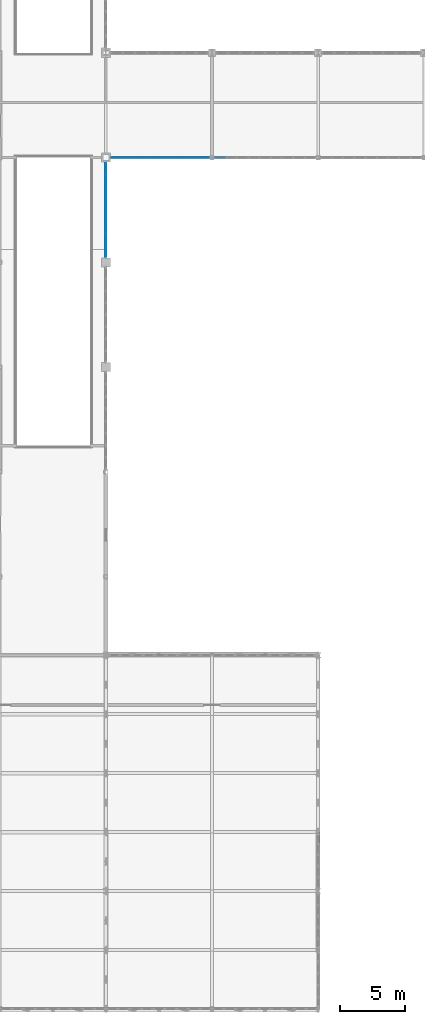
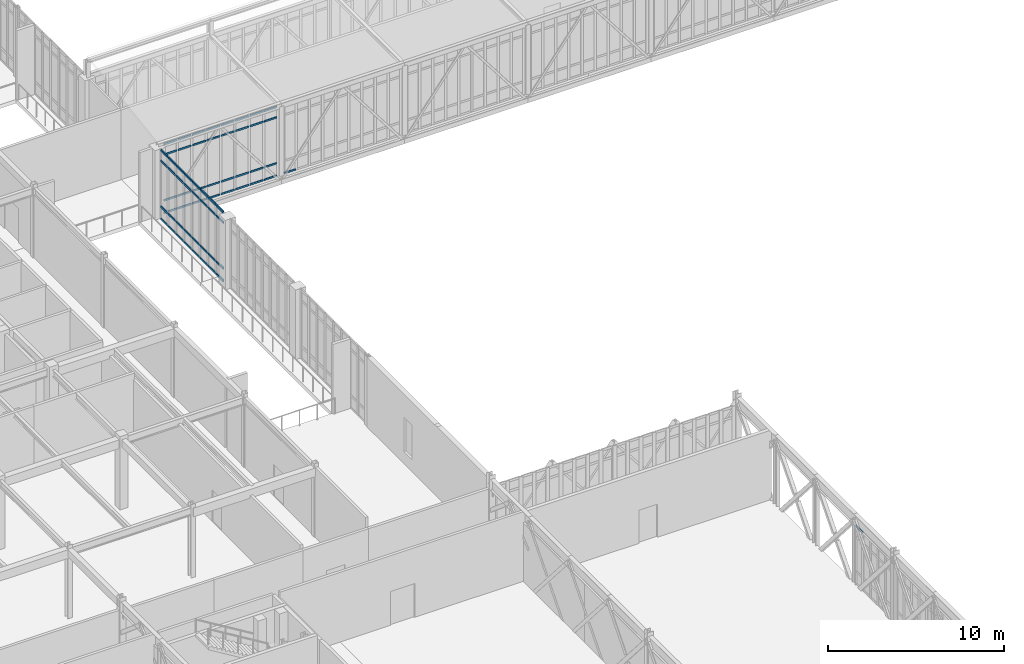
# One storey, part 52 of 107: 66 members, 4 elements without a shape of their own.
"""IFC4 building model written with IfcOpenShell, lengths in metres."""

from ifc_helpers import new_model, si_unit, direction, frame, origin, origin_2d, place, context, subcontext, project, spatial, rectangle, extrude, material, material_profile, profile_set, type_object, element, aggregate, save


model = new_model("IFC4")

# Units and contexts
model_context = context("Model", 3, precision=1e-05, world=origin(), true_north=direction((0.0, 1.0)))
body_context = subcontext(model_context, "Body", "Model", "MODEL_VIEW")
ifc_project = project(units=[si_unit("LENGTHUNIT", "METRE"), si_unit("AREAUNIT", "SQUARE_METRE"), si_unit("VOLUMEUNIT", "CUBIC_METRE"), si_unit("PLANEANGLEUNIT", "RADIAN"), si_unit("MASSUNIT", "GRAM", prefix="KILO")], contexts=[model_context])

# Site, building, storey
site_placement = place(None, origin())
site = spatial("IfcSite", under=ifc_project, at=site_placement, CompositionType="ELEMENT")
building_placement = place(site_placement, origin())
building = spatial("IfcBuilding", under=site, at=building_placement, Name="Tarnveldt Square Police Headquarters", CompositionType="ELEMENT")
storey_placement = place(building_placement, frame((0.0, 0.0, 14.699951171875)))
storey = spatial("IfcBuildingStorey", under=building, at=storey_placement, Name="L03", CompositionType="ELEMENT", Elevation=14.699951171875)

# Curtain wall, members
ifc_material_1 = material(Name="Triple-glazed low-e laminated vision glass", Category="glass")
curtain_wall_type_1 = type_object("IfcCurtainWallType", Name="CW-SB-757x484", PredefinedType="USERDEFINED", material=ifc_material_1)
curtain_wall_1_placement = place(storey_placement, origin())
curtain_wall_1 = element("IfcCurtainWall", 1, at=curtain_wall_1_placement, inside=storey, type_object=curtain_wall_type_1, Name="L03 Curtain Wall CW-L03-152", ObjectType="GLAZED CURTAIN WALL", PredefinedType="USERDEFINED")
ifc_material_2 = material(Name="Thermally broken anodised aluminium 6063-T6", Category="aluminium")
ifc_material_profile_1 = material_profile(ifc_material_2, rectangle(XDim=0.06494140625, YDim=0.1201171875, at=origin_2d()), Name="CW-T65x120")
ifc_profile_set_1 = profile_set([ifc_material_profile_1], Name="Thermally broken anodised aluminium 6063-T6")
member_type_1 = type_object("IfcMemberType", Name="CWT-65x120", PredefinedType="USERDEFINED", material=ifc_profile_set_1)
member_1_placement = place(storey_placement, frame((49.030029296875, 72.0, 0.032470703125), z_axis=(1.0, 0.0, 0.0), x_axis=(0.0, 1.0, 0.0)))
member_1 = element("IfcMember", 2, at=member_1_placement, type_object=member_type_1, Name="CW-SB89 transom 1.1", ObjectType="TRANSOM", PredefinedType="USERDEFINED", context=body_context, shape_type="SweptSolid", body=[
    extrude(rectangle(XDim=0.06494140625, YDim=0.1201171875, at=origin_2d()), origin(), (0.0, 0.0, 1.0), 0.84814453125),
])
member_2_placement = place(storey_placement, frame((49.030029296875, 72.0, 0.900146484375), z_axis=(1.0, 0.0, 0.0), x_axis=(0.0, 1.0, 0.0)))
member_2 = element("IfcMember", 3, at=member_2_placement, type_object=member_type_1, Name="CW-SB89 transom 1.2", ObjectType="TRANSOM", PredefinedType="USERDEFINED", context=body_context, shape_type="SweptSolid", body=[
    extrude(rectangle(XDim=0.06494140625, YDim=0.1201171875, at=origin_2d()), origin(), (0.0, 0.0, 1.0), 0.84814453125),
])
member_3_placement = place(storey_placement, frame((49.030029296875, 72.0, 4.090087890625), z_axis=(1.0, 0.0, 0.0), x_axis=(0.0, 1.0, 0.0)))
member_3 = element("IfcMember", 4, at=member_3_placement, type_object=member_type_1, Name="CW-SB89 transom 1.3", ObjectType="TRANSOM", PredefinedType="USERDEFINED", context=body_context, shape_type="SweptSolid", body=[
    extrude(rectangle(XDim=0.06494140625, YDim=0.1201171875, at=origin_2d()), origin(), (0.0, 0.0, 1.0), 0.84814453125),
])
member_4_placement = place(storey_placement, frame((49.030029296875, 72.0, 4.8076171875), z_axis=(1.0, 0.0, 0.0), x_axis=(0.0, 1.0, 0.0)))
member_4 = element("IfcMember", 5, at=member_4_placement, type_object=member_type_1, Name="CW-SB89 transom 1.4", ObjectType="TRANSOM", PredefinedType="USERDEFINED", context=body_context, shape_type="SweptSolid", body=[
    extrude(rectangle(XDim=0.06494140625, YDim=0.1201171875, at=origin_2d()), origin(), (0.0, 0.0, 1.0), 0.84814453125),
])
member_5_placement = place(storey_placement, frame((49.943359375, 72.0, 0.032470703125), z_axis=(1.0, 0.0, 0.0), x_axis=(0.0, 1.0, 0.0)))
member_5 = element("IfcMember", 6, at=member_5_placement, type_object=member_type_1, Name="CW-SB89 transom 2.1", ObjectType="TRANSOM", PredefinedType="USERDEFINED", context=body_context, shape_type="SweptSolid", body=[
    extrude(rectangle(XDim=0.06494140625, YDim=0.1201171875, at=origin_2d()), origin(), (0.0, 0.0, 1.0), 0.880615234375),
])
member_6_placement = place(storey_placement, frame((49.943359375, 72.0, 0.900146484375), z_axis=(1.0, 0.0, 0.0), x_axis=(0.0, 1.0, 0.0)))
member_6 = element("IfcMember", 7, at=member_6_placement, type_object=member_type_1, Name="CW-SB89 transom 2.2", ObjectType="TRANSOM", PredefinedType="USERDEFINED", context=body_context, shape_type="SweptSolid", body=[
    extrude(rectangle(XDim=0.06494140625, YDim=0.1201171875, at=origin_2d()), origin(), (0.0, 0.0, 1.0), 0.880615234375),
])
member_7_placement = place(storey_placement, frame((49.943359375, 72.0, 4.090087890625), z_axis=(1.0, 0.0, 0.0), x_axis=(0.0, 1.0, 0.0)))
member_7 = element("IfcMember", 8, at=member_7_placement, type_object=member_type_1, Name="CW-SB89 transom 2.3", ObjectType="TRANSOM", PredefinedType="USERDEFINED", context=body_context, shape_type="SweptSolid", body=[
    extrude(rectangle(XDim=0.06494140625, YDim=0.1201171875, at=origin_2d()), origin(), (0.0, 0.0, 1.0), 0.880615234375),
])
member_8_placement = place(storey_placement, frame((49.943359375, 72.0, 4.8076171875), z_axis=(1.0, 0.0, 0.0), x_axis=(0.0, 1.0, 0.0)))
member_8 = element("IfcMember", 9, at=member_8_placement, type_object=member_type_1, Name="CW-SB89 transom 2.4", ObjectType="TRANSOM", PredefinedType="USERDEFINED", context=body_context, shape_type="SweptSolid", body=[
    extrude(rectangle(XDim=0.06494140625, YDim=0.1201171875, at=origin_2d()), origin(), (0.0, 0.0, 1.0), 0.880615234375),
])
member_9_placement = place(storey_placement, frame((50.888916015625, 72.0, 0.032470703125), z_axis=(1.0, 0.0, 0.0), x_axis=(0.0, 1.0, 0.0)))
member_9 = element("IfcMember", 10, at=member_9_placement, type_object=member_type_1, Name="CW-SB89 transom 3.1", ObjectType="TRANSOM", PredefinedType="USERDEFINED", context=body_context, shape_type="SweptSolid", body=[
    extrude(rectangle(XDim=0.06494140625, YDim=0.1201171875, at=origin_2d()), origin(), (0.0, 0.0, 1.0), 0.880859375),
])
member_10_placement = place(storey_placement, frame((50.888916015625, 72.0, 0.900146484375), z_axis=(1.0, 0.0, 0.0), x_axis=(0.0, 1.0, 0.0)))
member_10 = element("IfcMember", 11, at=member_10_placement, type_object=member_type_1, Name="CW-SB89 transom 3.2", ObjectType="TRANSOM", PredefinedType="USERDEFINED", context=body_context, shape_type="SweptSolid", body=[
    extrude(rectangle(XDim=0.06494140625, YDim=0.1201171875, at=origin_2d()), origin(), (0.0, 0.0, 1.0), 0.880859375),
])
member_11_placement = place(storey_placement, frame((50.888916015625, 72.0, 4.090087890625), z_axis=(1.0, 0.0, 0.0), x_axis=(0.0, 1.0, 0.0)))
member_11 = element("IfcMember", 12, at=member_11_placement, type_object=member_type_1, Name="CW-SB89 transom 3.3", ObjectType="TRANSOM", PredefinedType="USERDEFINED", context=body_context, shape_type="SweptSolid", body=[
    extrude(rectangle(XDim=0.06494140625, YDim=0.1201171875, at=origin_2d()), origin(), (0.0, 0.0, 1.0), 0.880859375),
])
member_12_placement = place(storey_placement, frame((50.888916015625, 72.0, 4.8076171875), z_axis=(1.0, 0.0, 0.0), x_axis=(0.0, 1.0, 0.0)))
member_12 = element("IfcMember", 13, at=member_12_placement, type_object=member_type_1, Name="CW-SB89 transom 3.4", ObjectType="TRANSOM", PredefinedType="USERDEFINED", context=body_context, shape_type="SweptSolid", body=[
    extrude(rectangle(XDim=0.06494140625, YDim=0.1201171875, at=origin_2d()), origin(), (0.0, 0.0, 1.0), 0.880859375),
])
member_13_placement = place(storey_placement, frame((51.834716796875, 72.0, 0.032470703125), z_axis=(1.0, 0.0, 0.0), x_axis=(0.0, 1.0, 0.0)))
member_13 = element("IfcMember", 14, at=member_13_placement, type_object=member_type_1, Name="CW-SB89 transom 4.1", ObjectType="TRANSOM", PredefinedType="USERDEFINED", context=body_context, shape_type="SweptSolid", body=[
    extrude(rectangle(XDim=0.06494140625, YDim=0.1201171875, at=origin_2d()), origin(), (0.0, 0.0, 1.0), 0.880859375),
])
member_14_placement = place(storey_placement, frame((51.834716796875, 72.0, 0.900146484375), z_axis=(1.0, 0.0, 0.0), x_axis=(0.0, 1.0, 0.0)))
member_14 = element("IfcMember", 15, at=member_14_placement, type_object=member_type_1, Name="CW-SB89 transom 4.2", ObjectType="TRANSOM", PredefinedType="USERDEFINED", context=body_context, shape_type="SweptSolid", body=[
    extrude(rectangle(XDim=0.06494140625, YDim=0.1201171875, at=origin_2d()), origin(), (0.0, 0.0, 1.0), 0.880859375),
])
member_15_placement = place(storey_placement, frame((51.834716796875, 72.0, 4.090087890625), z_axis=(1.0, 0.0, 0.0), x_axis=(0.0, 1.0, 0.0)))
member_15 = element("IfcMember", 16, at=member_15_placement, type_object=member_type_1, Name="CW-SB89 transom 4.3", ObjectType="TRANSOM", PredefinedType="USERDEFINED", context=body_context, shape_type="SweptSolid", body=[
    extrude(rectangle(XDim=0.06494140625, YDim=0.1201171875, at=origin_2d()), origin(), (0.0, 0.0, 1.0), 0.880859375),
])
member_16_placement = place(storey_placement, frame((51.834716796875, 72.0, 4.8076171875), z_axis=(1.0, 0.0, 0.0), x_axis=(0.0, 1.0, 0.0)))
member_16 = element("IfcMember", 17, at=member_16_placement, type_object=member_type_1, Name="CW-SB89 transom 4.4", ObjectType="TRANSOM", PredefinedType="USERDEFINED", context=body_context, shape_type="SweptSolid", body=[
    extrude(rectangle(XDim=0.06494140625, YDim=0.1201171875, at=origin_2d()), origin(), (0.0, 0.0, 1.0), 0.880859375),
])
member_17_placement = place(storey_placement, frame((52.780517578125, 72.0, 0.032470703125), z_axis=(1.0, 0.0, 0.0), x_axis=(0.0, 1.0, 0.0)))
member_17 = element("IfcMember", 18, at=member_17_placement, type_object=member_type_1, Name="CW-SB89 transom 5.1", ObjectType="TRANSOM", PredefinedType="USERDEFINED", context=body_context, shape_type="SweptSolid", body=[
    extrude(rectangle(XDim=0.06494140625, YDim=0.1201171875, at=origin_2d()), origin(), (0.0, 0.0, 1.0), 0.880615234375),
])
member_18_placement = place(storey_placement, frame((52.780517578125, 72.0, 0.900146484375), z_axis=(1.0, 0.0, 0.0), x_axis=(0.0, 1.0, 0.0)))
member_18 = element("IfcMember", 19, at=member_18_placement, type_object=member_type_1, Name="CW-SB89 transom 5.2", ObjectType="TRANSOM", PredefinedType="USERDEFINED", context=body_context, shape_type="SweptSolid", body=[
    extrude(rectangle(XDim=0.06494140625, YDim=0.1201171875, at=origin_2d()), origin(), (0.0, 0.0, 1.0), 0.880615234375),
])
member_19_placement = place(storey_placement, frame((52.780517578125, 72.0, 4.090087890625), z_axis=(1.0, 0.0, 0.0), x_axis=(0.0, 1.0, 0.0)))
member_19 = element("IfcMember", 20, at=member_19_placement, type_object=member_type_1, Name="CW-SB89 transom 5.3", ObjectType="TRANSOM", PredefinedType="USERDEFINED", context=body_context, shape_type="SweptSolid", body=[
    extrude(rectangle(XDim=0.06494140625, YDim=0.1201171875, at=origin_2d()), origin(), (0.0, 0.0, 1.0), 0.880615234375),
])
member_20_placement = place(storey_placement, frame((52.780517578125, 72.0, 4.8076171875), z_axis=(1.0, 0.0, 0.0), x_axis=(0.0, 1.0, 0.0)))
member_20 = element("IfcMember", 21, at=member_20_placement, type_object=member_type_1, Name="CW-SB89 transom 5.4", ObjectType="TRANSOM", PredefinedType="USERDEFINED", context=body_context, shape_type="SweptSolid", body=[
    extrude(rectangle(XDim=0.06494140625, YDim=0.1201171875, at=origin_2d()), origin(), (0.0, 0.0, 1.0), 0.880615234375),
])
member_21_placement = place(storey_placement, frame((53.726318359375, 72.0, 0.032470703125), z_axis=(1.0, 0.0, 0.0), x_axis=(0.0, 1.0, 0.0)))
member_21 = element("IfcMember", 22, at=member_21_placement, type_object=member_type_1, Name="CW-SB89 transom 6.1", ObjectType="TRANSOM", PredefinedType="USERDEFINED", context=body_context, shape_type="SweptSolid", body=[
    extrude(rectangle(XDim=0.06494140625, YDim=0.1201171875, at=origin_2d()), origin(), (0.0, 0.0, 1.0), 0.880615234375),
])
member_22_placement = place(storey_placement, frame((53.726318359375, 72.0, 0.900146484375), z_axis=(1.0, 0.0, 0.0), x_axis=(0.0, 1.0, 0.0)))
member_22 = element("IfcMember", 23, at=member_22_placement, type_object=member_type_1, Name="CW-SB89 transom 6.2", ObjectType="TRANSOM", PredefinedType="USERDEFINED", context=body_context, shape_type="SweptSolid", body=[
    extrude(rectangle(XDim=0.06494140625, YDim=0.1201171875, at=origin_2d()), origin(), (0.0, 0.0, 1.0), 0.880615234375),
])
member_23_placement = place(storey_placement, frame((53.726318359375, 72.0, 4.090087890625), z_axis=(1.0, 0.0, 0.0), x_axis=(0.0, 1.0, 0.0)))
member_23 = element("IfcMember", 24, at=member_23_placement, type_object=member_type_1, Name="CW-SB89 transom 6.3", ObjectType="TRANSOM", PredefinedType="USERDEFINED", context=body_context, shape_type="SweptSolid", body=[
    extrude(rectangle(XDim=0.06494140625, YDim=0.1201171875, at=origin_2d()), origin(), (0.0, 0.0, 1.0), 0.880615234375),
])
member_24_placement = place(storey_placement, frame((53.726318359375, 72.0, 4.8076171875), z_axis=(1.0, 0.0, 0.0), x_axis=(0.0, 1.0, 0.0)))
member_24 = element("IfcMember", 25, at=member_24_placement, type_object=member_type_1, Name="CW-SB89 transom 6.4", ObjectType="TRANSOM", PredefinedType="USERDEFINED", context=body_context, shape_type="SweptSolid", body=[
    extrude(rectangle(XDim=0.06494140625, YDim=0.1201171875, at=origin_2d()), origin(), (0.0, 0.0, 1.0), 0.880615234375),
])
member_25_placement = place(storey_placement, frame((54.672119140625, 72.0, 0.032470703125), z_axis=(1.0, 0.0, 0.0), x_axis=(0.0, 1.0, 0.0)))
member_25 = element("IfcMember", 26, at=member_25_placement, type_object=member_type_1, Name="CW-SB89 transom 7.1", ObjectType="TRANSOM", PredefinedType="USERDEFINED", context=body_context, shape_type="SweptSolid", body=[
    extrude(rectangle(XDim=0.06494140625, YDim=0.1201171875, at=origin_2d()), origin(), (0.0, 0.0, 1.0), 0.880615234375),
])
member_26_placement = place(storey_placement, frame((54.672119140625, 72.0, 0.900146484375), z_axis=(1.0, 0.0, 0.0), x_axis=(0.0, 1.0, 0.0)))
member_26 = element("IfcMember", 27, at=member_26_placement, type_object=member_type_1, Name="CW-SB89 transom 7.2", ObjectType="TRANSOM", PredefinedType="USERDEFINED", context=body_context, shape_type="SweptSolid", body=[
    extrude(rectangle(XDim=0.06494140625, YDim=0.1201171875, at=origin_2d()), origin(), (0.0, 0.0, 1.0), 0.880615234375),
])
member_27_placement = place(storey_placement, frame((54.672119140625, 72.0, 4.090087890625), z_axis=(1.0, 0.0, 0.0), x_axis=(0.0, 1.0, 0.0)))
member_27 = element("IfcMember", 28, at=member_27_placement, type_object=member_type_1, Name="CW-SB89 transom 7.3", ObjectType="TRANSOM", PredefinedType="USERDEFINED", context=body_context, shape_type="SweptSolid", body=[
    extrude(rectangle(XDim=0.06494140625, YDim=0.1201171875, at=origin_2d()), origin(), (0.0, 0.0, 1.0), 0.880615234375),
])
member_28_placement = place(storey_placement, frame((54.672119140625, 72.0, 4.8076171875), z_axis=(1.0, 0.0, 0.0), x_axis=(0.0, 1.0, 0.0)))
member_28 = element("IfcMember", 29, at=member_28_placement, type_object=member_type_1, Name="CW-SB89 transom 7.4", ObjectType="TRANSOM", PredefinedType="USERDEFINED", context=body_context, shape_type="SweptSolid", body=[
    extrude(rectangle(XDim=0.06494140625, YDim=0.1201171875, at=origin_2d()), origin(), (0.0, 0.0, 1.0), 0.880615234375),
])
member_29_placement = place(storey_placement, frame((55.61767578125, 72.0, 0.032470703125), z_axis=(1.0, 0.0, 0.0), x_axis=(0.0, 1.0, 0.0)))
member_29 = element("IfcMember", 30, at=member_29_placement, type_object=member_type_1, Name="CW-SB89 transom 8.1", ObjectType="TRANSOM", PredefinedType="USERDEFINED", context=body_context, shape_type="SweptSolid", body=[
    extrude(rectangle(XDim=0.06494140625, YDim=0.1201171875, at=origin_2d()), origin(), (0.0, 0.0, 1.0), 0.848388671875),
])
member_30_placement = place(storey_placement, frame((55.61767578125, 72.0, 0.900146484375), z_axis=(1.0, 0.0, 0.0), x_axis=(0.0, 1.0, 0.0)))
member_30 = element("IfcMember", 31, at=member_30_placement, type_object=member_type_1, Name="CW-SB89 transom 8.2", ObjectType="TRANSOM", PredefinedType="USERDEFINED", context=body_context, shape_type="SweptSolid", body=[
    extrude(rectangle(XDim=0.06494140625, YDim=0.1201171875, at=origin_2d()), origin(), (0.0, 0.0, 1.0), 0.848388671875),
])
member_31_placement = place(storey_placement, frame((55.61767578125, 72.0, 4.090087890625), z_axis=(1.0, 0.0, 0.0), x_axis=(0.0, 1.0, 0.0)))
member_31 = element("IfcMember", 32, at=member_31_placement, type_object=member_type_1, Name="CW-SB89 transom 8.3", ObjectType="TRANSOM", PredefinedType="USERDEFINED", context=body_context, shape_type="SweptSolid", body=[
    extrude(rectangle(XDim=0.06494140625, YDim=0.1201171875, at=origin_2d()), origin(), (0.0, 0.0, 1.0), 0.848388671875),
])
member_32_placement = place(storey_placement, frame((55.61767578125, 72.0, 4.8076171875), z_axis=(1.0, 0.0, 0.0), x_axis=(0.0, 1.0, 0.0)))
member_32 = element("IfcMember", 33, at=member_32_placement, type_object=member_type_1, Name="CW-SB89 transom 8.4", ObjectType="TRANSOM", PredefinedType="USERDEFINED", context=body_context, shape_type="SweptSolid", body=[
    extrude(rectangle(XDim=0.06494140625, YDim=0.1201171875, at=origin_2d()), origin(), (0.0, 0.0, 1.0), 0.848388671875),
])
aggregate(curtain_wall_1, [member_1, member_2, member_3, member_4, member_5, member_6, member_7, member_8, member_9, member_10, member_11, member_12, member_13, member_14, member_15, member_16, member_17, member_18, member_19, member_20, member_21, member_22, member_23, member_24, member_25, member_26, member_27, member_28, member_29, member_30, member_31, member_32])

# Curtain wall, member
curtain_wall_type_2 = type_object("IfcCurtainWallType", Name="CW-SB-776x484", PredefinedType="USERDEFINED", material=ifc_material_1)
curtain_wall_2_placement = place(storey_placement, origin())
curtain_wall_2 = element("IfcCurtainWall", 34, at=curtain_wall_2_placement, inside=storey, type_object=curtain_wall_type_2, Name="L03 Curtain Wall CW-L03-153", ObjectType="GLAZED CURTAIN WALL", PredefinedType="USERDEFINED")
member_33_placement = place(storey_placement, frame((56.93408203125, 72.0, 0.032470703125), z_axis=(1.0, 0.0, 0.0), x_axis=(0.0, 1.0, 0.0)))
member_33 = element("IfcMember", 35, at=member_33_placement, type_object=member_type_1, Name="CW-SB90 transom 1.1", ObjectType="TRANSOM", PredefinedType="USERDEFINED", context=body_context, shape_type="SweptSolid", body=[
    extrude(rectangle(XDim=0.06494140625, YDim=0.1201171875, at=origin_2d()), origin(), (0.0, 0.0, 1.0), 0.764892578125),
])
aggregate(curtain_wall_2, [member_33])

curtain_wall_type_3 = type_object("IfcCurtainWallType", Name="CW-LT-430x407", PredefinedType="USERDEFINED", material=ifc_material_1)
curtain_wall_3_placement = place(storey_placement, origin())
curtain_wall_3 = element("IfcCurtainWall", 36, at=curtain_wall_3_placement, inside=storey, type_object=curtain_wall_type_3, Name="L03 Curtain Wall CW-L03-039", ObjectType="GLAZED CURTAIN WALL", PredefinedType="USERDEFINED")
ifc_material_profile_2 = material_profile(ifc_material_2, rectangle(XDim=0.074951171875, YDim=0.14990234375, at=origin_2d()), Name="CW-T75x150")
ifc_profile_set_2 = profile_set([ifc_material_profile_2], Name="Thermally broken anodised aluminium 6063-T6")
member_type_2 = type_object("IfcMemberType", Name="CWT-75x150", PredefinedType="USERDEFINED", material=ifc_profile_set_2)
member_34_placement = place(storey_placement, frame((64.800048828125, 19.677978515625, 4.028564453125), z_axis=(0.0, 1.0, 0.0), x_axis=(-1.0, 0.0, 0.0)))
member_34 = element("IfcMember", 37, at=member_34_placement, type_object=member_type_2, Name="CW-LT15 transom 5.4", ObjectType="TRANSOM", PredefinedType="USERDEFINED", context=body_context, shape_type="SweptSolid", body=[
    extrude(rectangle(XDim=0.074951171875, YDim=0.14990234375, at=origin_2d()), origin(), (0.0, 0.0, 1.0), 0.7470703125),
])
aggregate(curtain_wall_3, [member_34])

# Curtain wall, members
curtain_wall_type_4 = type_object("IfcCurtainWallType", Name="CW-WG-727x484", PredefinedType="USERDEFINED", material=ifc_material_1)
curtain_wall_4_placement = place(storey_placement, origin())
curtain_wall_4 = element("IfcCurtainWall", 38, at=curtain_wall_4_placement, inside=storey, type_object=curtain_wall_type_4, Name="L03 Curtain Wall CW-L03-080", ObjectType="GLAZED CURTAIN WALL", PredefinedType="USERDEFINED")
member_35_placement = place(storey_placement, frame((48.60009765625, 64.43994140625, 0.03759765625), z_axis=(0.0, 1.0, 0.0), x_axis=(-1.0, 0.0, 0.0)))
member_35 = element("IfcMember", 39, at=member_35_placement, type_object=member_type_2, Name="CW-WG39 transom 1.1", ObjectType="TRANSOM", PredefinedType="USERDEFINED", context=body_context, shape_type="SweptSolid", body=[
    extrude(rectangle(XDim=0.074951171875, YDim=0.14990234375, at=origin_2d()), origin(), (0.0, 0.0, 1.0), 0.79638671875),
])
member_36_placement = place(storey_placement, frame((48.60009765625, 64.43994140625, 0.900146484375), z_axis=(0.0, 1.0, 0.0), x_axis=(-1.0, 0.0, 0.0)))
member_36 = element("IfcMember", 40, at=member_36_placement, type_object=member_type_2, Name="CW-WG39 transom 1.2", ObjectType="TRANSOM", PredefinedType="USERDEFINED", context=body_context, shape_type="SweptSolid", body=[
    extrude(rectangle(XDim=0.074951171875, YDim=0.14990234375, at=origin_2d()), origin(), (0.0, 0.0, 1.0), 0.79638671875),
])
member_37_placement = place(storey_placement, frame((48.60009765625, 64.43994140625, 4.090087890625), z_axis=(0.0, 1.0, 0.0), x_axis=(-1.0, 0.0, 0.0)))
member_37 = element("IfcMember", 41, at=member_37_placement, type_object=member_type_2, Name="CW-WG39 transom 1.3", ObjectType="TRANSOM", PredefinedType="USERDEFINED", context=body_context, shape_type="SweptSolid", body=[
    extrude(rectangle(XDim=0.074951171875, YDim=0.14990234375, at=origin_2d()), origin(), (0.0, 0.0, 1.0), 0.79638671875),
])
member_38_placement = place(storey_placement, frame((48.60009765625, 64.43994140625, 4.802490234375), z_axis=(0.0, 1.0, 0.0), x_axis=(-1.0, 0.0, 0.0)))
member_38 = element("IfcMember", 42, at=member_38_placement, type_object=member_type_2, Name="CW-WG39 transom 1.4", ObjectType="TRANSOM", PredefinedType="USERDEFINED", context=body_context, shape_type="SweptSolid", body=[
    extrude(rectangle(XDim=0.074951171875, YDim=0.14990234375, at=origin_2d()), origin(), (0.0, 0.0, 1.0), 0.79638671875),
])
member_39_placement = place(storey_placement, frame((48.60009765625, 65.311279296875, 0.03759765625), z_axis=(0.0, 1.0, 0.0), x_axis=(-1.0, 0.0, 0.0)))
member_39 = element("IfcMember", 43, at=member_39_placement, type_object=member_type_2, Name="CW-WG39 transom 2.1", ObjectType="TRANSOM", PredefinedType="USERDEFINED", context=body_context, shape_type="SweptSolid", body=[
    extrude(rectangle(XDim=0.074951171875, YDim=0.14990234375, at=origin_2d()), origin(), (0.0, 0.0, 1.0), 0.833740234375),
])
member_40_placement = place(storey_placement, frame((48.60009765625, 65.311279296875, 0.900146484375), z_axis=(0.0, 1.0, 0.0), x_axis=(-1.0, 0.0, 0.0)))
member_40 = element("IfcMember", 44, at=member_40_placement, type_object=member_type_2, Name="CW-WG39 transom 2.2", ObjectType="TRANSOM", PredefinedType="USERDEFINED", context=body_context, shape_type="SweptSolid", body=[
    extrude(rectangle(XDim=0.074951171875, YDim=0.14990234375, at=origin_2d()), origin(), (0.0, 0.0, 1.0), 0.833740234375),
])
member_41_placement = place(storey_placement, frame((48.60009765625, 65.311279296875, 4.090087890625), z_axis=(0.0, 1.0, 0.0), x_axis=(-1.0, 0.0, 0.0)))
member_41 = element("IfcMember", 45, at=member_41_placement, type_object=member_type_2, Name="CW-WG39 transom 2.3", ObjectType="TRANSOM", PredefinedType="USERDEFINED", context=body_context, shape_type="SweptSolid", body=[
    extrude(rectangle(XDim=0.074951171875, YDim=0.14990234375, at=origin_2d()), origin(), (0.0, 0.0, 1.0), 0.833740234375),
])
member_42_placement = place(storey_placement, frame((48.60009765625, 65.311279296875, 4.802490234375), z_axis=(0.0, 1.0, 0.0), x_axis=(-1.0, 0.0, 0.0)))
member_42 = element("IfcMember", 46, at=member_42_placement, type_object=member_type_2, Name="CW-WG39 transom 2.4", ObjectType="TRANSOM", PredefinedType="USERDEFINED", context=body_context, shape_type="SweptSolid", body=[
    extrude(rectangle(XDim=0.074951171875, YDim=0.14990234375, at=origin_2d()), origin(), (0.0, 0.0, 1.0), 0.833740234375),
])
member_43_placement = place(storey_placement, frame((48.60009765625, 66.219970703125, 0.03759765625), z_axis=(0.0, 1.0, 0.0), x_axis=(-1.0, 0.0, 0.0)))
member_43 = element("IfcMember", 47, at=member_43_placement, type_object=member_type_2, Name="CW-WG39 transom 3.1", ObjectType="TRANSOM", PredefinedType="USERDEFINED", context=body_context, shape_type="SweptSolid", body=[
    extrude(rectangle(XDim=0.074951171875, YDim=0.14990234375, at=origin_2d()), origin(), (0.0, 0.0, 1.0), 0.833740234375),
])
member_44_placement = place(storey_placement, frame((48.60009765625, 66.219970703125, 0.900146484375), z_axis=(0.0, 1.0, 0.0), x_axis=(-1.0, 0.0, 0.0)))
member_44 = element("IfcMember", 48, at=member_44_placement, type_object=member_type_2, Name="CW-WG39 transom 3.2", ObjectType="TRANSOM", PredefinedType="USERDEFINED", context=body_context, shape_type="SweptSolid", body=[
    extrude(rectangle(XDim=0.074951171875, YDim=0.14990234375, at=origin_2d()), origin(), (0.0, 0.0, 1.0), 0.833740234375),
])
member_45_placement = place(storey_placement, frame((48.60009765625, 66.219970703125, 4.090087890625), z_axis=(0.0, 1.0, 0.0), x_axis=(-1.0, 0.0, 0.0)))
member_45 = element("IfcMember", 49, at=member_45_placement, type_object=member_type_2, Name="CW-WG39 transom 3.3", ObjectType="TRANSOM", PredefinedType="USERDEFINED", context=body_context, shape_type="SweptSolid", body=[
    extrude(rectangle(XDim=0.074951171875, YDim=0.14990234375, at=origin_2d()), origin(), (0.0, 0.0, 1.0), 0.833740234375),
])
member_46_placement = place(storey_placement, frame((48.60009765625, 66.219970703125, 4.802490234375), z_axis=(0.0, 1.0, 0.0), x_axis=(-1.0, 0.0, 0.0)))
member_46 = element("IfcMember", 50, at=member_46_placement, type_object=member_type_2, Name="CW-WG39 transom 3.4", ObjectType="TRANSOM", PredefinedType="USERDEFINED", context=body_context, shape_type="SweptSolid", body=[
    extrude(rectangle(XDim=0.074951171875, YDim=0.14990234375, at=origin_2d()), origin(), (0.0, 0.0, 1.0), 0.833740234375),
])
member_47_placement = place(storey_placement, frame((48.60009765625, 67.128662109375, 0.03759765625), z_axis=(0.0, 1.0, 0.0), x_axis=(-1.0, 0.0, 0.0)))
member_47 = element("IfcMember", 51, at=member_47_placement, type_object=member_type_2, Name="CW-WG39 transom 4.1", ObjectType="TRANSOM", PredefinedType="USERDEFINED", context=body_context, shape_type="SweptSolid", body=[
    extrude(rectangle(XDim=0.074951171875, YDim=0.14990234375, at=origin_2d()), origin(), (0.0, 0.0, 1.0), 0.833740234375),
])
member_48_placement = place(storey_placement, frame((48.60009765625, 67.128662109375, 0.900146484375), z_axis=(0.0, 1.0, 0.0), x_axis=(-1.0, 0.0, 0.0)))
member_48 = element("IfcMember", 52, at=member_48_placement, type_object=member_type_2, Name="CW-WG39 transom 4.2", ObjectType="TRANSOM", PredefinedType="USERDEFINED", context=body_context, shape_type="SweptSolid", body=[
    extrude(rectangle(XDim=0.074951171875, YDim=0.14990234375, at=origin_2d()), origin(), (0.0, 0.0, 1.0), 0.833740234375),
])
member_49_placement = place(storey_placement, frame((48.60009765625, 67.128662109375, 4.090087890625), z_axis=(0.0, 1.0, 0.0), x_axis=(-1.0, 0.0, 0.0)))
member_49 = element("IfcMember", 53, at=member_49_placement, type_object=member_type_2, Name="CW-WG39 transom 4.3", ObjectType="TRANSOM", PredefinedType="USERDEFINED", context=body_context, shape_type="SweptSolid", body=[
    extrude(rectangle(XDim=0.074951171875, YDim=0.14990234375, at=origin_2d()), origin(), (0.0, 0.0, 1.0), 0.833740234375),
])
member_50_placement = place(storey_placement, frame((48.60009765625, 67.128662109375, 4.802490234375), z_axis=(0.0, 1.0, 0.0), x_axis=(-1.0, 0.0, 0.0)))
member_50 = element("IfcMember", 54, at=member_50_placement, type_object=member_type_2, Name="CW-WG39 transom 4.4", ObjectType="TRANSOM", PredefinedType="USERDEFINED", context=body_context, shape_type="SweptSolid", body=[
    extrude(rectangle(XDim=0.074951171875, YDim=0.14990234375, at=origin_2d()), origin(), (0.0, 0.0, 1.0), 0.833740234375),
])
member_51_placement = place(storey_placement, frame((48.60009765625, 68.03759765625, 0.03759765625), z_axis=(0.0, 1.0, 0.0), x_axis=(-1.0, 0.0, 0.0)))
member_51 = element("IfcMember", 55, at=member_51_placement, type_object=member_type_2, Name="CW-WG39 transom 5.1", ObjectType="TRANSOM", PredefinedType="USERDEFINED", context=body_context, shape_type="SweptSolid", body=[
    extrude(rectangle(XDim=0.074951171875, YDim=0.14990234375, at=origin_2d()), origin(), (0.0, 0.0, 1.0), 0.833740234375),
])
member_52_placement = place(storey_placement, frame((48.60009765625, 68.03759765625, 0.900146484375), z_axis=(0.0, 1.0, 0.0), x_axis=(-1.0, 0.0, 0.0)))
member_52 = element("IfcMember", 56, at=member_52_placement, type_object=member_type_2, Name="CW-WG39 transom 5.2", ObjectType="TRANSOM", PredefinedType="USERDEFINED", context=body_context, shape_type="SweptSolid", body=[
    extrude(rectangle(XDim=0.074951171875, YDim=0.14990234375, at=origin_2d()), origin(), (0.0, 0.0, 1.0), 0.833740234375),
])
member_53_placement = place(storey_placement, frame((48.60009765625, 68.03759765625, 4.090087890625), z_axis=(0.0, 1.0, 0.0), x_axis=(-1.0, 0.0, 0.0)))
member_53 = element("IfcMember", 57, at=member_53_placement, type_object=member_type_2, Name="CW-WG39 transom 5.3", ObjectType="TRANSOM", PredefinedType="USERDEFINED", context=body_context, shape_type="SweptSolid", body=[
    extrude(rectangle(XDim=0.074951171875, YDim=0.14990234375, at=origin_2d()), origin(), (0.0, 0.0, 1.0), 0.833740234375),
])
member_54_placement = place(storey_placement, frame((48.60009765625, 68.03759765625, 4.802490234375), z_axis=(0.0, 1.0, 0.0), x_axis=(-1.0, 0.0, 0.0)))
member_54 = element("IfcMember", 58, at=member_54_placement, type_object=member_type_2, Name="CW-WG39 transom 5.4", ObjectType="TRANSOM", PredefinedType="USERDEFINED", context=body_context, shape_type="SweptSolid", body=[
    extrude(rectangle(XDim=0.074951171875, YDim=0.14990234375, at=origin_2d()), origin(), (0.0, 0.0, 1.0), 0.833740234375),
])
member_55_placement = place(storey_placement, frame((48.60009765625, 68.9462890625, 0.03759765625), z_axis=(0.0, 1.0, 0.0), x_axis=(-1.0, 0.0, 0.0)))
member_55 = element("IfcMember", 59, at=member_55_placement, type_object=member_type_2, Name="CW-WG39 transom 6.1", ObjectType="TRANSOM", PredefinedType="USERDEFINED", context=body_context, shape_type="SweptSolid", body=[
    extrude(rectangle(XDim=0.074951171875, YDim=0.14990234375, at=origin_2d()), origin(), (0.0, 0.0, 1.0), 0.833740234375),
])
member_56_placement = place(storey_placement, frame((48.60009765625, 68.9462890625, 0.900146484375), z_axis=(0.0, 1.0, 0.0), x_axis=(-1.0, 0.0, 0.0)))
member_56 = element("IfcMember", 60, at=member_56_placement, type_object=member_type_2, Name="CW-WG39 transom 6.2", ObjectType="TRANSOM", PredefinedType="USERDEFINED", context=body_context, shape_type="SweptSolid", body=[
    extrude(rectangle(XDim=0.074951171875, YDim=0.14990234375, at=origin_2d()), origin(), (0.0, 0.0, 1.0), 0.833740234375),
])
member_57_placement = place(storey_placement, frame((48.60009765625, 68.9462890625, 4.090087890625), z_axis=(0.0, 1.0, 0.0), x_axis=(-1.0, 0.0, 0.0)))
member_57 = element("IfcMember", 61, at=member_57_placement, type_object=member_type_2, Name="CW-WG39 transom 6.3", ObjectType="TRANSOM", PredefinedType="USERDEFINED", context=body_context, shape_type="SweptSolid", body=[
    extrude(rectangle(XDim=0.074951171875, YDim=0.14990234375, at=origin_2d()), origin(), (0.0, 0.0, 1.0), 0.833740234375),
])
member_58_placement = place(storey_placement, frame((48.60009765625, 68.9462890625, 4.802490234375), z_axis=(0.0, 1.0, 0.0), x_axis=(-1.0, 0.0, 0.0)))
member_58 = element("IfcMember", 62, at=member_58_placement, type_object=member_type_2, Name="CW-WG39 transom 6.4", ObjectType="TRANSOM", PredefinedType="USERDEFINED", context=body_context, shape_type="SweptSolid", body=[
    extrude(rectangle(XDim=0.074951171875, YDim=0.14990234375, at=origin_2d()), origin(), (0.0, 0.0, 1.0), 0.833740234375),
])
member_59_placement = place(storey_placement, frame((48.60009765625, 69.85498046875, 0.03759765625), z_axis=(0.0, 1.0, 0.0), x_axis=(-1.0, 0.0, 0.0)))
member_59 = element("IfcMember", 63, at=member_59_placement, type_object=member_type_2, Name="CW-WG39 transom 7.1", ObjectType="TRANSOM", PredefinedType="USERDEFINED", context=body_context, shape_type="SweptSolid", body=[
    extrude(rectangle(XDim=0.074951171875, YDim=0.14990234375, at=origin_2d()), origin(), (0.0, 0.0, 1.0), 0.833740234375),
])
member_60_placement = place(storey_placement, frame((48.60009765625, 69.85498046875, 0.900146484375), z_axis=(0.0, 1.0, 0.0), x_axis=(-1.0, 0.0, 0.0)))
member_60 = element("IfcMember", 64, at=member_60_placement, type_object=member_type_2, Name="CW-WG39 transom 7.2", ObjectType="TRANSOM", PredefinedType="USERDEFINED", context=body_context, shape_type="SweptSolid", body=[
    extrude(rectangle(XDim=0.074951171875, YDim=0.14990234375, at=origin_2d()), origin(), (0.0, 0.0, 1.0), 0.833740234375),
])
member_61_placement = place(storey_placement, frame((48.60009765625, 69.85498046875, 4.090087890625), z_axis=(0.0, 1.0, 0.0), x_axis=(-1.0, 0.0, 0.0)))
member_61 = element("IfcMember", 65, at=member_61_placement, type_object=member_type_2, Name="CW-WG39 transom 7.3", ObjectType="TRANSOM", PredefinedType="USERDEFINED", context=body_context, shape_type="SweptSolid", body=[
    extrude(rectangle(XDim=0.074951171875, YDim=0.14990234375, at=origin_2d()), origin(), (0.0, 0.0, 1.0), 0.833740234375),
])
member_62_placement = place(storey_placement, frame((48.60009765625, 69.85498046875, 4.802490234375), z_axis=(0.0, 1.0, 0.0), x_axis=(-1.0, 0.0, 0.0)))
member_62 = element("IfcMember", 66, at=member_62_placement, type_object=member_type_2, Name="CW-WG39 transom 7.4", ObjectType="TRANSOM", PredefinedType="USERDEFINED", context=body_context, shape_type="SweptSolid", body=[
    extrude(rectangle(XDim=0.074951171875, YDim=0.14990234375, at=origin_2d()), origin(), (0.0, 0.0, 1.0), 0.833740234375),
])
member_63_placement = place(storey_placement, frame((48.60009765625, 70.763671875, 0.03759765625), z_axis=(0.0, 1.0, 0.0), x_axis=(-1.0, 0.0, 0.0)))
member_63 = element("IfcMember", 67, at=member_63_placement, type_object=member_type_2, Name="CW-WG39 transom 8.1", ObjectType="TRANSOM", PredefinedType="USERDEFINED", context=body_context, shape_type="SweptSolid", body=[
    extrude(rectangle(XDim=0.074951171875, YDim=0.14990234375, at=origin_2d()), origin(), (0.0, 0.0, 1.0), 0.79638671875),
])
member_64_placement = place(storey_placement, frame((48.60009765625, 70.763671875, 0.900146484375), z_axis=(0.0, 1.0, 0.0), x_axis=(-1.0, 0.0, 0.0)))
member_64 = element("IfcMember", 68, at=member_64_placement, type_object=member_type_2, Name="CW-WG39 transom 8.2", ObjectType="TRANSOM", PredefinedType="USERDEFINED", context=body_context, shape_type="SweptSolid", body=[
    extrude(rectangle(XDim=0.074951171875, YDim=0.14990234375, at=origin_2d()), origin(), (0.0, 0.0, 1.0), 0.79638671875),
])
member_65_placement = place(storey_placement, frame((48.60009765625, 70.763671875, 4.090087890625), z_axis=(0.0, 1.0, 0.0), x_axis=(-1.0, 0.0, 0.0)))
member_65 = element("IfcMember", 69, at=member_65_placement, type_object=member_type_2, Name="CW-WG39 transom 8.3", ObjectType="TRANSOM", PredefinedType="USERDEFINED", context=body_context, shape_type="SweptSolid", body=[
    extrude(rectangle(XDim=0.074951171875, YDim=0.14990234375, at=origin_2d()), origin(), (0.0, 0.0, 1.0), 0.79638671875),
])
member_66_placement = place(storey_placement, frame((48.60009765625, 70.763671875, 4.802490234375), z_axis=(0.0, 1.0, 0.0), x_axis=(-1.0, 0.0, 0.0)))
member_66 = element("IfcMember", 70, at=member_66_placement, type_object=member_type_2, Name="CW-WG39 transom 8.4", ObjectType="TRANSOM", PredefinedType="USERDEFINED", context=body_context, shape_type="SweptSolid", body=[
    extrude(rectangle(XDim=0.074951171875, YDim=0.14990234375, at=origin_2d()), origin(), (0.0, 0.0, 1.0), 0.79638671875),
])
aggregate(curtain_wall_4, [member_35, member_36, member_37, member_38, member_39, member_40, member_41, member_42, member_43, member_44, member_45, member_46, member_47, member_48, member_49, member_50, member_51, member_52, member_53, member_54, member_55, member_56, member_57, member_58, member_59, member_60, member_61, member_62, member_63, member_64, member_65, member_66])

save(model, "model.ifc")
